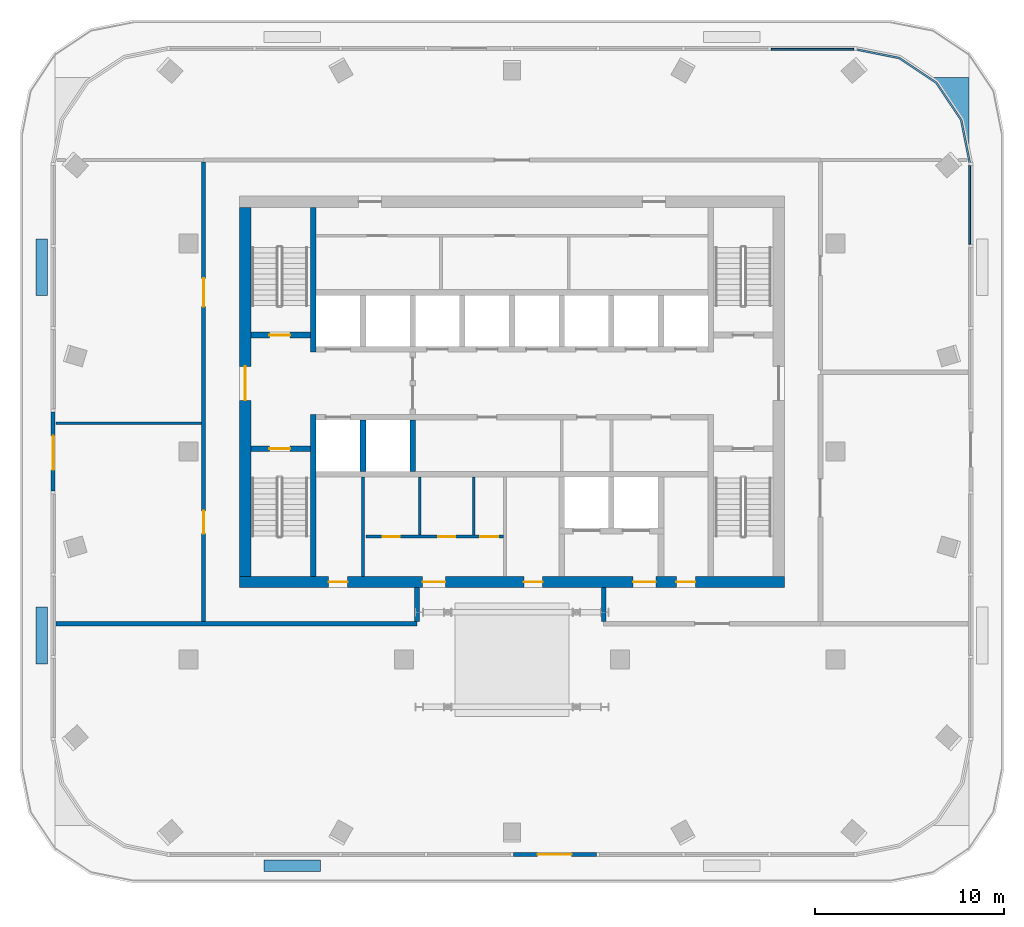
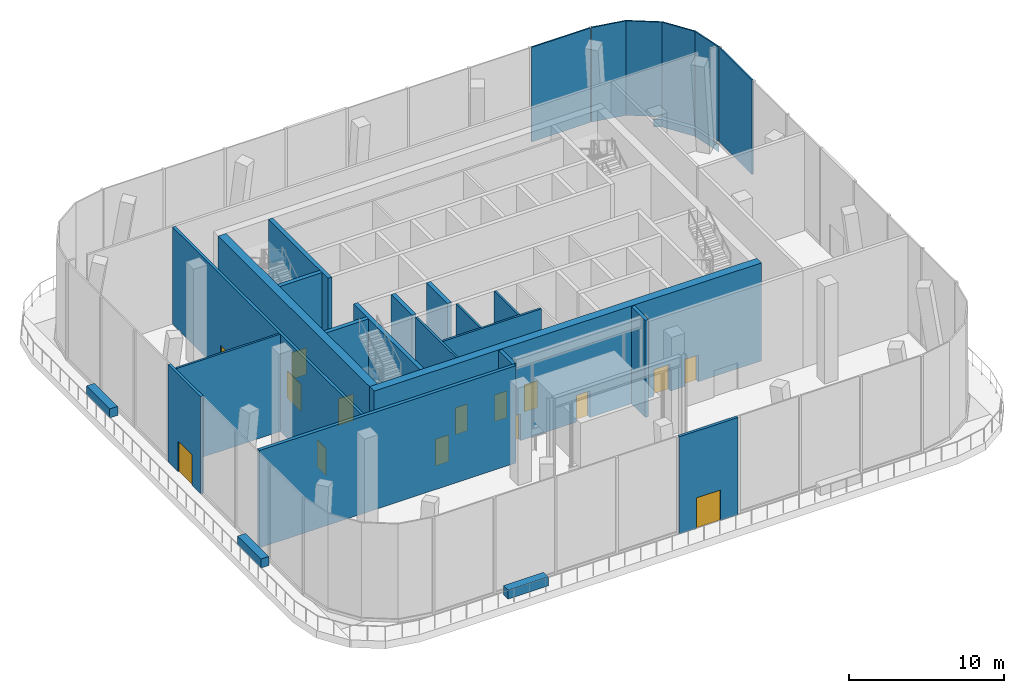
# One storey, part 6 of 13: 22 walls, 15 doors, 3 plates, 1 slab, 15 openings, 3 elements without a shape of their own.
"""IFC4 building model written with IfcOpenShell, lengths in metres."""

import ifcopenshell
import ifcopenshell.guid

model = None  # the IFC model being written
_history = None  # IfcOwnerHistory: only IFC2X3 demands one
_inside = {}  # id of a spatial element -> (the spatial element, [elements in it])
_under = {}  # id of a project, library or spatial element -> (it, [spatial elements below it])
_declared = {}  # id of a project -> (the project, [libraries it declares])
_typed = {}  # id of a type object -> (the type object, [elements of that type])
_made_of = {}  # id of a material, layer set ... -> (it, [elements and type objects made of it])


def new_model(schema):
    """Start an empty IFC model of exactly this schema.

    Asked for "IFC4X3", IfcOpenShell would pick the latest addendum, in which some entities
    have other attributes; the version numbers below select the first issue.
    IFC2X3 requires an IfcOwnerHistory on every rooted entity: one is made here for all.
    """
    global model, _history
    if schema == "IFC4X3":
        model = ifcopenshell.file(schema_version=(4, 3, 0, 0))
    else:
        model = ifcopenshell.file(schema=schema)
    _inside.clear()
    _under.clear()
    _declared.clear()
    _typed.clear()
    _made_of.clear()
    _history = None
    if model.schema == "IFC2X3":
        org = make("IfcOrganization", Name="unknown")
        user = make(
            "IfcPersonAndOrganization",
            ThePerson=make("IfcPerson", FamilyName="unknown"),
            TheOrganization=org,
        )
        app = make(
            "IfcApplication",
            ApplicationDeveloper=org,
            Version="unknown",
            ApplicationFullName="unknown",
            ApplicationIdentifier="unknown",
        )
        _history = make(
            "IfcOwnerHistory",
            OwningUser=user,
            OwningApplication=app,
            ChangeAction="ADDED",
            CreationDate=0,
        )
    return model


def make(cls, **values):
    """One entity of the class cls with the attributes given. An attribute that is None is left unset."""
    return model.create_entity(
        cls, **{name: value for name, value in values.items() if value is not None}
    )


def rooted(cls, **values):
    """An entity with a GlobalId (a new one), such as an element, a storey or a relation."""
    return make(cls, GlobalId=ifcopenshell.guid.new(), OwnerHistory=_history, **values)


def si_unit(unit_type, name, prefix=None):
    """IfcSIUnit, for example si_unit("LENGTHUNIT", "METRE", prefix="MILLI")."""
    return make("IfcSIUnit", UnitType=unit_type, Prefix=prefix, Name=name)


def assignment(units):
    """IfcUnitAssignment: the units of a project."""
    return None if units is None else make("IfcUnitAssignment", Units=units)


def point(xyz):
    """IfcCartesianPoint."""
    return None if xyz is None else make("IfcCartesianPoint", Coordinates=xyz)


def direction(xyz):
    """IfcDirection."""
    return None if xyz is None else make("IfcDirection", DirectionRatios=xyz)


def frame(location, z_axis=None, x_axis=None):
    """IfcAxis2Placement3D, a coordinate frame: its origin and axes. An axis left out is left unset."""
    return make(
        "IfcAxis2Placement3D",
        Location=point(location),
        Axis=direction(z_axis),
        RefDirection=direction(x_axis),
    )


def frame_2d(location, x_axis=None):
    """IfcAxis2Placement2D, a coordinate frame in the plane: its origin and x axis."""
    return make(
        "IfcAxis2Placement2D", Location=point(location), RefDirection=direction(x_axis)
    )


def origin():
    """The frame at (0, 0, 0) with its axes left unset."""
    return frame((0.0, 0.0, 0.0))


def origin_2d():
    """The frame at (0, 0) in the plane with its x axis left unset."""
    return frame_2d((0.0, 0.0))


def place(relative_to, where):
    """IfcLocalPlacement: puts the frame where relative to a parent placement (None: the world)."""
    return make(
        "IfcLocalPlacement", PlacementRelTo=relative_to, RelativePlacement=where
    )


def context(
    kind, dimensions, precision=None, world=None, true_north=None, identifier=None
):
    """IfcGeometricRepresentationContext, for example the 3D "Model" context."""
    return make(
        "IfcGeometricRepresentationContext",
        ContextIdentifier=identifier,
        ContextType=kind,
        CoordinateSpaceDimension=dimensions,
        Precision=precision,
        WorldCoordinateSystem=world,
        TrueNorth=true_north,
    )


def subcontext(parent, identifier, kind, view, scale=None):
    """IfcGeometricRepresentationSubContext, for example "Body" below "Model"."""
    return make(
        "IfcGeometricRepresentationSubContext",
        ContextIdentifier=identifier,
        ContextType=kind,
        ParentContext=parent,
        TargetScale=scale,
        TargetView=view,
    )


def project(units=None, contexts=None):
    """IfcProject with its units and contexts."""
    return rooted(
        "IfcProject",
        Name="project",
        RepresentationContexts=contexts,
        UnitsInContext=assignment(units),
    )


def spatial(cls, under=None, at=None, **own):
    """A site, building, storey or space (cls), placed at a placement, below another one or the project."""
    s = rooted(cls, ObjectPlacement=at, **own)
    if under is not None:
        _under.setdefault(under.id(), (under, []))[1].append(s)
    return s


def polyline(points):
    """IfcPolyline through the points."""
    return make("IfcPolyline", Points=[point(p) for p in points])


def profile(cls, at=None, kind="AREA", **sizes):
    """A parametric profile (cls). Its sizes go by their IFC names, for example OverallWidth=200.0."""
    return make(cls, ProfileType=kind, Position=at, **sizes)


def rectangle(**sizes):
    """IfcRectangleProfileDef."""
    return profile("IfcRectangleProfileDef", **sizes)


def outline(outer, holes=None, kind="AREA"):
    """IfcArbitraryClosedProfileDef: a profile drawn as a closed curve; with holes, ...WithVoids."""
    if holes is None:
        return make("IfcArbitraryClosedProfileDef", ProfileType=kind, OuterCurve=outer)
    return make(
        "IfcArbitraryProfileDefWithVoids",
        ProfileType=kind,
        OuterCurve=outer,
        InnerCurves=holes,
    )


def extrude(swept, where, along, depth):
    """IfcExtrudedAreaSolid: the profile swept, set in the frame where, extruded along a direction by depth."""
    return make(
        "IfcExtrudedAreaSolid",
        SweptArea=swept,
        Position=where,
        ExtrudedDirection=direction(along),
        Depth=depth,
    )


def shape(context_of_items, identifier, shape_type, items):
    """IfcShapeRepresentation: the items that make up one representation, for example the "Body"."""
    return make(
        "IfcShapeRepresentation",
        ContextOfItems=context_of_items,
        RepresentationIdentifier=identifier,
        RepresentationType=shape_type,
        Items=items,
    )


def material(Name=None, Category=None):
    """IfcMaterial."""
    return make("IfcMaterial", Name=Name, Category=Category)


def layer(
    of_material, thickness, ventilated=None, Name=None, Category=None, Priority=None
):
    """IfcMaterialLayer: one layer of a wall or slab, of a material (None: an air gap)."""
    return make(
        "IfcMaterialLayer",
        Material=of_material,
        LayerThickness=thickness,
        IsVentilated=ventilated,
        Name=Name,
        Category=Category,
        Priority=Priority,
    )


def layer_set(layers, Name=None):
    """IfcMaterialLayerSet."""
    return make("IfcMaterialLayerSet", MaterialLayers=layers, LayerSetName=Name)


def made_of(thing, what):
    """Note that an element or type object is made of a material, layer set ...; save() writes the relation."""
    if what is not None:
        _made_of.setdefault(what.id(), (what, []))[1].append(thing)
    return thing


def type_object(cls, material=None, **own):
    """A type object (cls), such as IfcWallType, which elements share."""
    return made_of(rooted(cls, **own), material)


def element(
    cls,
    number,
    at=None,
    inside=None,
    cuts=None,
    type_object=None,
    material=None,
    context=None,
    identifier="Body",
    shape_type=None,
    held_by="IfcProductDefinitionShape",
    body=None,
    shapes=None,
    **own,
):
    """One element of the class cls, such as IfcWall. Its Tag is "e" and its number.

    at: its placement. inside: the storey or other place that contains it. cuts: it is an
    opening in that element (IfcRelVoidsElement). A single representation is given by context,
    identifier, shape_type and body (its items); several are given by shapes. held_by: the class
    of the entity that holds the representations. save() writes the other relations.
    """
    e = rooted(cls, Tag="e%d" % number, ObjectPlacement=at, **own)
    if body is not None:
        shapes = [shape(context, identifier, shape_type, body)]
    if shapes is not None:
        e.Representation = make(held_by, Representations=shapes)
    if inside is not None:
        _inside.setdefault(inside.id(), (inside, []))[1].append(e)
    if cuts is not None:
        rooted(
            "IfcRelVoidsElement", RelatingBuildingElement=cuts, RelatedOpeningElement=e
        )
    if type_object is not None:
        _typed.setdefault(type_object.id(), (type_object, []))[1].append(e)
    return made_of(e, material)


def fill(opening, filler):
    """IfcRelFillsElement: the door or window that sits in an opening."""
    return rooted(
        "IfcRelFillsElement",
        RelatingOpeningElement=opening,
        RelatedBuildingElement=filler,
    )


def aggregate(whole, parts):
    """IfcRelAggregates: a whole, such as a stair, and the parts it consists of."""
    return rooted("IfcRelAggregates", RelatingObject=whole, RelatedObjects=parts)


def save(model, path):
    """Write the relations noted so far, then the file.

    IfcRelAggregates (storeys below a building ...), IfcRelContainedInSpatialStructure (elements
    in a storey), IfcRelDefinesByType, IfcRelAssociatesMaterial and IfcRelDeclares: one each for
    every whole, place, type object, material and project.
    """
    for whole, parts in _under.values():
        aggregate(whole, parts)
    for where, things in _inside.values():
        rooted(
            "IfcRelContainedInSpatialStructure",
            RelatedElements=things,
            RelatingStructure=where,
        )
    for kind, things in _typed.values():
        rooted("IfcRelDefinesByType", RelatedObjects=things, RelatingType=kind)
    for what, things in _made_of.values():
        rooted("IfcRelAssociatesMaterial", RelatedObjects=things, RelatingMaterial=what)
    for by, libraries in _declared.values():
        rooted("IfcRelDeclares", RelatingContext=by, RelatedDefinitions=libraries)
    model.write(path)


model = new_model("IFC4")

# Units and contexts
model_context = context("Model", 3, precision=1e-05, world=origin(), true_north=direction((0.0, 1.0)))
body_context = subcontext(model_context, "Body", "Model", "MODEL_VIEW")
ifc_project = project(units=[si_unit("LENGTHUNIT", "METRE"), si_unit("AREAUNIT", "SQUARE_METRE"), si_unit("VOLUMEUNIT", "CUBIC_METRE"), si_unit("PLANEANGLEUNIT", "RADIAN"), si_unit("MASSUNIT", "GRAM", prefix="KILO")], contexts=[model_context])

# Site, building, storey
site_placement = place(None, origin())
site = spatial("IfcSite", under=ifc_project, at=site_placement, CompositionType="ELEMENT")
building_placement = place(site_placement, origin())
building = spatial("IfcBuilding", under=site, at=building_placement, Name="Mopane Tessera Tower", CompositionType="ELEMENT")
storey_placement = place(building_placement, frame((0.0, 0.0, 337.39990234375)))
storey = spatial("IfcBuildingStorey", under=building, at=storey_placement, Name="L74", CompositionType="ELEMENT", Elevation=337.39990234375)

# Curtain wall, plate
ifc_material_1 = material(Name="Aluminium frame", Category="aluminium")
curtain_wall_type = type_object("IfcCurtainWallType", Name="Damper floor unitised wall", PredefinedType="NOTDEFINED", material=ifc_material_1)
curtain_wall_1_placement = place(storey_placement, origin())
curtain_wall_1 = element("IfcCurtainWall", 1, at=curtain_wall_1_placement, inside=storey, type_object=curtain_wall_type, Name="e:cw:L74:E:4", PredefinedType="NOTDEFINED")
ifc_material_2 = material(Name="Illuminated laminated glass", Category="glass")
ifc_layer_1 = layer(ifc_material_2, 0.10009765625)
ifc_layer_set_1 = layer_set([ifc_layer_1], Name="Illuminated laminated glass")
plate_type = type_object("IfcPlateType", Name="Laminated glazed unit 100", PredefinedType="CURTAIN_PANEL", material=ifc_layer_set_1)
plate_1_placement = place(storey_placement, frame((24.199951171875, 13.028564453125, 0.22021484375), z_axis=(0.0, 0.0, 1.0), x_axis=(0.0, 1.0, 0.0)))
plate_1 = element("IfcPlate", 2, at=plate_1_placement, type_object=plate_type, Name="e:cw:L74:E:4:pn6", PredefinedType="CURTAIN_PANEL", context=body_context, shape_type="SweptSolid", body=[
    extrude(rectangle(XDim=4.182861328125, YDim=0.10009765625, at=origin_2d()), origin(), (0.0, 0.0, 1.0), 7.429931640625),
])
aggregate(curtain_wall_1, [plate_1])

curtain_wall_2_placement = place(storey_placement, origin())
curtain_wall_2 = element("IfcCurtainWall", 3, at=curtain_wall_2_placement, inside=storey, type_object=curtain_wall_type, Name="e:cw:L74:CE", PredefinedType="NOTDEFINED")
plate_2_placement = place(storey_placement, frame((0.0, 0.0, 0.22021484375)))
plate_2 = element("IfcPlate", 4, at=plate_2_placement, type_object=plate_type, Name="e:cw:L74:CE:pn", PredefinedType="CURTAIN_PANEL", context=body_context, shape_type="SweptSolid", body=[
    extrude(outline(polyline([(24.14990234375, 15.199951171875), (23.693359375, 17.49609375), (22.392578125, 19.442626953125), (20.446044921875, 20.7431640625), (18.14990234375, 21.199951171875), (18.14990234375, 21.300048828125), (20.484375, 20.835693359375), (22.46337890625, 19.513427734375), (23.78564453125, 17.534423828125), (24.25, 15.199951171875), (24.14990234375, 15.199951171875)])), origin(), (0.0, 0.0, 1.0), 7.429931640625),
])
aggregate(curtain_wall_2, [plate_2])

curtain_wall_3_placement = place(storey_placement, origin())
curtain_wall_3 = element("IfcCurtainWall", 5, at=curtain_wall_3_placement, inside=storey, type_object=curtain_wall_type, Name="e:cw:L74:N:0", PredefinedType="NOTDEFINED")
plate_3_placement = place(storey_placement, frame((15.88134765625, 21.25, 0.22021484375), z_axis=(0.0, 0.0, 1.0), x_axis=(-1.0, 0.0, 0.0)))
plate_3 = element("IfcPlate", 6, at=plate_3_placement, type_object=plate_type, Name="e:cw:L74:N:0:pn0", PredefinedType="CURTAIN_PANEL", context=body_context, shape_type="SweptSolid", body=[
    extrude(rectangle(XDim=4.37744140625, YDim=0.10009765625, at=origin_2d()), origin(), (0.0, 0.0, 1.0), 7.429931640625),
])
aggregate(curtain_wall_3, [plate_3])

# Slab
ifc_material_3 = material(Name="Concrete C40/50", Category="concrete")
ifc_layer_2 = layer(ifc_material_3, 0.60009765625)
ifc_layer_set_2 = layer_set([ifc_layer_2], Name="Concrete C40/50")
slab_type = type_object("IfcSlabType", Name="Setback roof terrace slab 600 mm", PredefinedType="ROOF", material=ifc_layer_set_2)
slab_placement = place(storey_placement, frame((0.0, 0.0, -0.599853515625)))
element("IfcSlab", 7, at=slab_placement, inside=storey, type_object=slab_type, Name="Setback terrace slab L74", PredefinedType="ROOF", context=body_context, shape_type="SweptSolid", body=[
    extrude(outline(polyline([(24.14990234375, 15.199951171875), (24.14990234375, 19.760009765625), (21.917724609375, 19.760009765625), (22.392578125, 19.442626953125), (23.693359375, 17.49609375), (24.14990234375, 15.199951171875)])), origin(), (0.0, 0.0, 1.0), 0.599853515625),
])

# Wall
ifc_material_4 = material(Name="Fire-rated gypsum board partition")
ifc_layer_3 = layer(ifc_material_4, 0.14990234375)
ifc_layer_set_3 = layer_set([ifc_layer_3], Name="Fire-rated gypsum board partition")
wall_type_1 = type_object("IfcWallType", Name="Core room partition 150 mm", PredefinedType="PARTITIONING", material=ifc_layer_set_3)
wall_1_placement = place(storey_placement, frame((-7.875, -6.60009765625, 0.0), z_axis=(0.0, 0.0, 1.0), x_axis=(0.0, 1.0, 0.0)))
element("IfcWall", 8, at=wall_1_placement, inside=storey, type_object=wall_type_1, Name="L74 Room partition", PredefinedType="PARTITIONING", context=body_context, shape_type="SweptSolid", body=[
    extrude(rectangle(XDim=5.25, YDim=0.14990234375, at=frame_2d((2.625, 0.0))), origin(), (0.0, 0.0, 1.0), 7.7001953125),
])

# Wall, openings, doors
wall_2_placement = place(storey_placement, frame((-7.72509765625, -4.5, 0.0), z_axis=(0.0, 0.0, 1.0), x_axis=(1.0, 0.0, 0.0)))
wall_2 = element("IfcWall", 9, at=wall_2_placement, inside=storey, type_object=wall_type_1, Name="L74 WC partition", PredefinedType="PARTITIONING", context=body_context, shape_type="SweptSolid", body=[
    extrude(rectangle(XDim=7.275146484375, YDim=0.14990234375, at=frame_2d((3.6376953125, 0.0))), origin(), (0.0, 0.0, 1.0), 7.7001953125),
])
opening_1_placement = place(wall_2_placement, frame((0.89990234375, 0.0, 0.0)))
opening_1 = element("IfcOpeningElement", 10, at=opening_1_placement, cuts=wall_2, Name="Opening WD1", PredefinedType="OPENING", context=body_context, shape_type="SweptSolid", body=[
    extrude(rectangle(XDim=0.89990234375, YDim=2.10009765625, at=frame_2d((0.449951171875, 1.050048828125))), frame((0.0, 0.0869140625, 0.0), z_axis=(0.0, -1.0, 0.0), x_axis=(1.0, 0.0, 0.0)), (0.0, 0.0, 1.0), 0.173828125),
])
opening_2_placement = place(wall_2_placement, frame((3.824951171875, 0.0, 0.0)))
opening_2 = element("IfcOpeningElement", 11, at=opening_2_placement, cuts=wall_2, Name="Opening WD1", PredefinedType="OPENING", context=body_context, shape_type="SweptSolid", body=[
    extrude(rectangle(XDim=0.89990234375, YDim=2.10009765625, at=frame_2d((0.449951171875, 1.050048828125))), frame((0.0, 0.0869140625, 0.0), z_axis=(0.0, -1.0, 0.0), x_axis=(1.0, 0.0, 0.0)), (0.0, 0.0, 1.0), 0.173828125),
])
opening_3_placement = place(wall_2_placement, frame((6.050048828125, 0.0, 0.0)))
opening_3 = element("IfcOpeningElement", 12, at=opening_3_placement, cuts=wall_2, Name="Opening WD2", PredefinedType="OPENING", context=body_context, shape_type="SweptSolid", body=[
    extrude(rectangle(XDim=0.949951171875, YDim=2.10009765625, at=frame_2d((0.47509765625, 1.050048828125))), frame((0.0, 0.0869140625, 0.0), z_axis=(0.0, -1.0, 0.0), x_axis=(1.0, 0.0, 0.0)), (0.0, 0.0, 1.0), 0.173828125),
])
ifc_material_5 = material(Name="Timber door", Category="wood")
door_type_1 = type_object("IfcDoorType", Name="Accessible WC door 950 x 2100", OperationType="SINGLE_SWING_LEFT", PredefinedType="DOOR", material=ifc_material_5)
door_1_placement = place(opening_3_placement, origin())
door_1 = element("IfcDoor", 13, at=door_1_placement, inside=storey, type_object=door_type_1, Name="L74 Accessible WC door", OperationType="SINGLE_SWING_LEFT", OverallHeight=2.10009765625, OverallWidth=0.949951171875, PredefinedType="DOOR", context=body_context, shape_type="SweptSolid", body=[
    extrude(rectangle(XDim=0.949951171875, YDim=2.10009765625, at=frame_2d((0.47509765625, 1.050048828125))), frame((0.0, 0.02490234375, 0.0), z_axis=(0.0, -1.0, 0.0), x_axis=(1.0, 0.0, 0.0)), (0.0, 0.0, 1.0), 0.050048828125),
])
fill(opening_3, door_1)
ifc_material_6 = material(Name="Timber door", Category="wood")
door_type_2 = type_object("IfcDoorType", Name="WC cubicle door 900 x 2100", OperationType="SINGLE_SWING_LEFT", PredefinedType="DOOR", material=ifc_material_6)
door_2_placement = place(opening_1_placement, origin())
door_2 = element("IfcDoor", 14, at=door_2_placement, inside=storey, type_object=door_type_2, Name="L74 Men's WC door", OperationType="SINGLE_SWING_LEFT", OverallHeight=2.10009765625, OverallWidth=0.89990234375, PredefinedType="DOOR", context=body_context, shape_type="SweptSolid", body=[
    extrude(rectangle(XDim=0.89990234375, YDim=2.10009765625, at=frame_2d((0.449951171875, 1.050048828125))), frame((0.0, 0.02490234375, 0.0), z_axis=(0.0, -1.0, 0.0), x_axis=(1.0, 0.0, 0.0)), (0.0, 0.0, 1.0), 0.050048828125),
])
fill(opening_1, door_2)
door_3_placement = place(opening_2_placement, origin())
door_3 = element("IfcDoor", 15, at=door_3_placement, inside=storey, type_object=door_type_2, Name="L74 Women's WC door", OperationType="SINGLE_SWING_LEFT", OverallHeight=2.10009765625, OverallWidth=0.89990234375, PredefinedType="DOOR", context=body_context, shape_type="SweptSolid", body=[
    extrude(rectangle(XDim=0.89990234375, YDim=2.10009765625, at=frame_2d((0.449951171875, 1.050048828125))), frame((0.0, 0.02490234375, 0.0), z_axis=(0.0, -1.0, 0.0), x_axis=(1.0, 0.0, 0.0)), (0.0, 0.0, 1.0), 0.050048828125),
])
fill(opening_2, door_3)

# Walls
for number, where, z_axis, x_axis, name in (
    (16, (-4.875, -4.425048828125, 0.0), (0.0, 0.0, 1.0), (0.0, 1.0, 0.0), "L74 WC partition"),
    (17, (-2.02490234375, -4.425048828125, 0.0), (0.0, 0.0, 1.0), (0.0, 1.0, 0.0), "L74 WC partition"),
):
    element("IfcWall", number, at=place(storey_placement, frame(where, z_axis=z_axis, x_axis=x_axis)), inside=storey, type_object=wall_type_1, Name=name, PredefinedType="PARTITIONING", context=body_context, shape_type="SweptSolid", body=[
        extrude(rectangle(XDim=3.074951171875, YDim=0.14990234375, at=frame_2d((1.53759765625, 0.0))), origin(), (0.0, 0.0, 1.0), 7.7001953125),
    ])

# Wall, openings, doors
ifc_material_7 = material(Name="Concrete C70/85", Category="concrete")
ifc_layer_4 = layer(ifc_material_7, 0.60009765625)
ifc_layer_set_4 = layer_set([ifc_layer_4], Name="Concrete C70/85")
wall_type_2 = type_object("IfcWallType", Name="Core shear wall 600 mm", PredefinedType="SHEAR", material=ifc_layer_set_4)
wall_3_placement = place(storey_placement, frame((-14.39990234375, -6.89990234375, 0.0), z_axis=(0.0, 0.0, 1.0), x_axis=(1.0, 0.0, 0.0)))
wall_3 = element("IfcWall", 18, at=wall_3_placement, inside=storey, type_object=wall_type_2, Name="L74 Core wall south", PredefinedType="SHEAR", context=body_context, shape_type="SweptSolid", body=[
    extrude(rectangle(XDim=28.7998046875, YDim=0.60009765625, at=frame_2d((14.39990234375, 0.0))), origin(), (0.0, 0.0, 1.0), 7.7001953125),
])
opening_4_placement = place(wall_3_placement, frame((4.71240234375, 0.0, 0.0)))
opening_4 = element("IfcOpeningElement", 19, at=opening_4_placement, cuts=wall_3, Name="Opening RD1", PredefinedType="OPENING", context=body_context, shape_type="SweptSolid", body=[
    extrude(rectangle(XDim=1.0, YDim=2.10009765625, at=frame_2d((0.5, 1.050048828125))), frame((0.0, 0.31201171875, 0.0), z_axis=(0.0, -1.0, 0.0), x_axis=(1.0, 0.0, 0.0)), (0.0, 0.0, 1.0), 0.6240234375),
])
opening_5_placement = place(wall_3_placement, frame((9.675048828125, 0.0, 0.0)))
opening_5 = element("IfcOpeningElement", 20, at=opening_5_placement, cuts=wall_3, Name="Opening WD3", PredefinedType="OPENING", context=body_context, shape_type="SweptSolid", body=[
    extrude(rectangle(XDim=1.199951171875, YDim=2.10009765625, at=frame_2d((0.60009765625, 1.050048828125))), frame((0.0, 0.31201171875, 0.0), z_axis=(0.0, -1.0, 0.0), x_axis=(1.0, 0.0, 0.0)), (0.0, 0.0, 1.0), 0.6240234375),
])
opening_6_placement = place(wall_3_placement, frame((15.02490234375, 0.0, 0.0)))
opening_6 = element("IfcOpeningElement", 21, at=opening_6_placement, cuts=wall_3, Name="Opening RD1", PredefinedType="OPENING", context=body_context, shape_type="SweptSolid", body=[
    extrude(rectangle(XDim=1.0, YDim=2.10009765625, at=frame_2d((0.5, 1.050048828125))), frame((0.0, 0.31201171875, 0.0), z_axis=(0.0, -1.0, 0.0), x_axis=(1.0, 0.0, 0.0)), (0.0, 0.0, 1.0), 0.6240234375),
])
opening_7_placement = place(wall_3_placement, frame((20.800048828125, 0.0, 0.0)))
opening_7 = element("IfcOpeningElement", 22, at=opening_7_placement, cuts=wall_3, Name="Opening SD3", PredefinedType="OPENING", context=body_context, shape_type="SweptSolid", body=[
    extrude(rectangle(XDim=1.199951171875, YDim=2.10009765625, at=frame_2d((0.60009765625, 1.050048828125))), frame((0.0, 0.31201171875, 0.0), z_axis=(0.0, -1.0, 0.0), x_axis=(1.0, 0.0, 0.0)), (0.0, 0.0, 1.0), 0.6240234375),
])
opening_8_placement = place(wall_3_placement, frame((23.08740234375, 0.0, 0.0)))
opening_8 = element("IfcOpeningElement", 23, at=opening_8_placement, cuts=wall_3, Name="Opening RD1", PredefinedType="OPENING", context=body_context, shape_type="SweptSolid", body=[
    extrude(rectangle(XDim=1.0, YDim=2.10009765625, at=frame_2d((0.5, 1.050048828125))), frame((0.0, 0.31201171875, 0.0), z_axis=(0.0, -1.0, 0.0), x_axis=(1.0, 0.0, 0.0)), (0.0, 0.0, 1.0), 0.6240234375),
])
ifc_material_8 = material(Name="Timber door", Category="wood")
door_type_3 = type_object("IfcDoorType", Name="Core room door 1000 x 2100", OperationType="SINGLE_SWING_LEFT", PredefinedType="DOOR", material=ifc_material_8)
door_4_placement = place(opening_4_placement, origin())
door_4 = element("IfcDoor", 24, at=door_4_placement, inside=storey, type_object=door_type_3, Name="L74 Room door", OperationType="SINGLE_SWING_LEFT", OverallHeight=2.10009765625, OverallWidth=1.0, PredefinedType="DOOR", context=body_context, shape_type="SweptSolid", body=[
    extrude(rectangle(XDim=1.0, YDim=2.10009765625, at=frame_2d((0.5, 1.050048828125))), frame((0.0, 0.02490234375, 0.0), z_axis=(0.0, -1.0, 0.0), x_axis=(1.0, 0.0, 0.0)), (0.0, 0.0, 1.0), 0.050048828125),
])
fill(opening_4, door_4)
door_5_placement = place(opening_6_placement, origin())
door_5 = element("IfcDoor", 25, at=door_5_placement, inside=storey, type_object=door_type_3, Name="L74 Room door", OperationType="SINGLE_SWING_LEFT", OverallHeight=2.10009765625, OverallWidth=1.0, PredefinedType="DOOR", context=body_context, shape_type="SweptSolid", body=[
    extrude(rectangle(XDim=1.0, YDim=2.10009765625, at=frame_2d((0.5, 1.050048828125))), frame((0.0, 0.02490234375, 0.0), z_axis=(0.0, -1.0, 0.0), x_axis=(1.0, 0.0, 0.0)), (0.0, 0.0, 1.0), 0.050048828125),
])
fill(opening_6, door_5)
door_6_placement = place(opening_8_placement, origin())
door_6 = element("IfcDoor", 26, at=door_6_placement, inside=storey, type_object=door_type_3, Name="L74 Room door", OperationType="SINGLE_SWING_LEFT", OverallHeight=2.10009765625, OverallWidth=1.0, PredefinedType="DOOR", context=body_context, shape_type="SweptSolid", body=[
    extrude(rectangle(XDim=1.0, YDim=2.10009765625, at=frame_2d((0.5, 1.050048828125))), frame((0.0, 0.02490234375, 0.0), z_axis=(0.0, -1.0, 0.0), x_axis=(1.0, 0.0, 0.0)), (0.0, 0.0, 1.0), 0.050048828125),
])
fill(opening_8, door_6)
ifc_material_9 = material(Name="Steel fire door", Category="steel")
door_type_4 = type_object("IfcDoorType", Name="Lobby fire door 1200 x 2100", OperationType="SINGLE_SWING_LEFT", PredefinedType="DOOR", material=ifc_material_9)
door_7_placement = place(opening_7_placement, origin())
door_7 = element("IfcDoor", 27, at=door_7_placement, inside=storey, type_object=door_type_4, Name="L74 Service lobby door", OperationType="SINGLE_SWING_LEFT", OverallHeight=2.10009765625, OverallWidth=1.199951171875, PredefinedType="DOOR", context=body_context, shape_type="SweptSolid", body=[
    extrude(rectangle(XDim=1.199951171875, YDim=2.10009765625, at=frame_2d((0.60009765625, 1.050048828125))), frame((0.0, 0.02490234375, 0.0), z_axis=(0.0, -1.0, 0.0), x_axis=(1.0, 0.0, 0.0)), (0.0, 0.0, 1.0), 0.050048828125),
])
fill(opening_7, door_7)
ifc_material_10 = material(Name="Timber door", Category="wood")
door_type_5 = type_object("IfcDoorType", Name="WC lobby door 1200 x 2100", OperationType="SINGLE_SWING_LEFT", PredefinedType="DOOR", material=ifc_material_10)
door_8_placement = place(opening_5_placement, origin())
door_8 = element("IfcDoor", 28, at=door_8_placement, inside=storey, type_object=door_type_5, Name="L74 WC lobby door", OperationType="SINGLE_SWING_LEFT", OverallHeight=2.10009765625, OverallWidth=1.199951171875, PredefinedType="DOOR", context=body_context, shape_type="SweptSolid", body=[
    extrude(rectangle(XDim=1.199951171875, YDim=2.10009765625, at=frame_2d((0.60009765625, 1.050048828125))), frame((0.0, 0.02490234375, 0.0), z_axis=(0.0, -1.0, 0.0), x_axis=(1.0, 0.0, 0.0)), (0.0, 0.0, 1.0), 0.050048828125),
])
fill(opening_5, door_8)

# Wall, opening, door
wall_4_placement = place(storey_placement, frame((-14.10009765625, -6.60009765625, 0.0), z_axis=(0.0, 0.0, 1.0), x_axis=(0.0, 1.0, 0.0)))
wall_4 = element("IfcWall", 29, at=wall_4_placement, inside=storey, type_object=wall_type_2, Name="L74 Core wall west", PredefinedType="SHEAR", context=body_context, shape_type="SweptSolid", body=[
    extrude(rectangle(XDim=19.5, YDim=0.60009765625, at=frame_2d((9.75, 0.0))), origin(), (0.0, 0.0, 1.0), 7.7001953125),
])
opening_9_placement = place(wall_4_placement, frame((9.300048828125, 0.0, 0.0)))
opening_9 = element("IfcOpeningElement", 30, at=opening_9_placement, cuts=wall_4, Name="Opening SD2", PredefinedType="OPENING", context=body_context, shape_type="SweptSolid", body=[
    extrude(rectangle(XDim=1.800048828125, YDim=2.10009765625, at=frame_2d((0.89990234375, 1.050048828125))), frame((0.0, 0.31201171875, 0.0), z_axis=(0.0, -1.0, 0.0), x_axis=(1.0, 0.0, 0.0)), (0.0, 0.0, 1.0), 0.6240234375),
])
ifc_material_11 = material(Name="Steel fire door", Category="steel")
door_type_6 = type_object("IfcDoorType", Name="Core entrance double door 1800 x 2100", OperationType="DOUBLE_DOOR_SINGLE_SWING", PredefinedType="DOOR", material=ifc_material_11)
door_9_placement = place(opening_9_placement, origin())
door_9 = element("IfcDoor", 31, at=door_9_placement, inside=storey, type_object=door_type_6, Name="L74 Core entrance door west", OperationType="DOUBLE_DOOR_SINGLE_SWING", OverallHeight=2.10009765625, OverallWidth=1.800048828125, PredefinedType="DOOR", context=body_context, shape_type="SweptSolid", body=[
    extrude(rectangle(XDim=1.800048828125, YDim=2.10009765625, at=frame_2d((0.89990234375, 1.050048828125))), frame((0.0, 0.02490234375, 0.0), z_axis=(0.0, -1.0, 0.0), x_axis=(1.0, 0.0, 0.0)), (0.0, 0.0, 1.0), 0.050048828125),
])
fill(opening_9, door_9)

# Walls
ifc_material_12 = material(Name="Concrete C60/75", Category="concrete")
ifc_layer_5 = layer(ifc_material_12, 0.300048828125)
ifc_layer_set_5 = layer_set([ifc_layer_5], Name="Concrete C60/75")
wall_type_3 = type_object("IfcWallType", Name="Core spine wall 300 mm", PredefinedType="SHEAR", material=ifc_layer_set_5)
wall_5_placement = place(storey_placement, frame((-10.5, -6.60009765625, 0.0), z_axis=(0.0, 0.0, 1.0), x_axis=(0.0, 1.0, 0.0)))
element("IfcWall", 32, at=wall_5_placement, inside=storey, type_object=wall_type_3, Name="L74 Core spine wall", PredefinedType="SHEAR", context=body_context, shape_type="SweptSolid", body=[
    extrude(rectangle(XDim=8.550048828125, YDim=0.300048828125, at=frame_2d((4.27490234375, 0.0))), origin(), (0.0, 0.0, 1.0), 7.7001953125),
])
wall_6_placement = place(storey_placement, frame((-10.5, 5.25, 0.0), z_axis=(0.0, 0.0, 1.0), x_axis=(0.0, 1.0, 0.0)))
element("IfcWall", 33, at=wall_6_placement, inside=storey, type_object=wall_type_3, Name="L74 Core spine wall", PredefinedType="SHEAR", context=body_context, shape_type="SweptSolid", body=[
    extrude(rectangle(XDim=7.64990234375, YDim=0.300048828125, at=frame_2d((3.824951171875, 0.0))), origin(), (0.0, 0.0, 1.0), 7.7001953125),
])

# Wall, openings, doors
ifc_material_13 = material(Name="Gypsum board on steel studs, two layers each face, mineral wool infill", Category="steel")
ifc_layer_6 = layer(ifc_material_13, 0.199951171875)
ifc_layer_set_6 = layer_set([ifc_layer_6], Name="Gypsum board on steel studs, two layers each face, mineral wool infill")
wall_type_4 = type_object("IfcWallType", Name="Gypsum board corridor wall 200, rated EI 60", PredefinedType="PARTITIONING", material=ifc_layer_set_6)
wall_7_placement = place(storey_placement, frame((-16.300048828125, -8.97509765625, 0.0), z_axis=(0.0, 0.0, 1.0), x_axis=(0.0, 1.0, 0.0)))
wall_7 = element("IfcWall", 34, at=wall_7_placement, inside=storey, type_object=wall_type_4, Name="Partition L74:010", PredefinedType="PARTITIONING", context=body_context, shape_type="SweptSolid", body=[
    extrude(rectangle(XDim=24.275146484375, YDim=0.199951171875, at=frame_2d((12.1376953125, 0.0))), origin(), (0.0, 0.0, 1.0), 7.650146484375),
])
opening_10_placement = place(wall_7_placement, frame((4.634521484375, 0.0, 0.0)))
opening_10 = element("IfcOpeningElement", 35, at=opening_10_placement, cuts=wall_7, Name="Opening L74-01", PredefinedType="OPENING", context=body_context, shape_type="SweptSolid", body=[
    extrude(rectangle(XDim=1.199951171875, YDim=2.10009765625, at=frame_2d((0.60009765625, 1.050048828125))), frame((0.0, 0.112060546875, 0.0), z_axis=(0.0, -1.0, 0.0), x_axis=(1.0, 0.0, 0.0)), (0.0, 0.0, 1.0), 0.223876953125),
])
opening_11_placement = place(wall_7_placement, frame((16.6220703125, 0.0, 0.0)))
opening_11 = element("IfcOpeningElement", 36, at=opening_11_placement, cuts=wall_7, Name="Opening L74-02", PredefinedType="OPENING", context=body_context, shape_type="SweptSolid", body=[
    extrude(rectangle(XDim=1.5, YDim=2.10009765625, at=frame_2d((0.75, 1.050048828125))), frame((0.0, 0.112060546875, 0.0), z_axis=(0.0, -1.0, 0.0), x_axis=(1.0, 0.0, 0.0)), (0.0, 0.0, 1.0), 0.223876953125),
])
ifc_material_14 = material(Name="Timber veneered steel-framed fire door", Category="steel")
door_type_7 = type_object("IfcDoorType", Name="Fire door FD60 1200 x 2100", OperationType="SINGLE_SWING_LEFT", PredefinedType="DOOR", material=ifc_material_14)
door_10_placement = place(opening_10_placement, origin())
door_10 = element("IfcDoor", 37, at=door_10_placement, inside=storey, type_object=door_type_7, Name="Door L74-01", ObjectType="D15A", OperationType="SINGLE_SWING_RIGHT", OverallHeight=2.10009765625, OverallWidth=1.199951171875, PredefinedType="DOOR", context=body_context, shape_type="SweptSolid", body=[
    extrude(rectangle(XDim=1.199951171875, YDim=2.10009765625, at=frame_2d((0.60009765625, 1.050048828125))), frame((0.0, 0.02490234375, 0.0), z_axis=(0.0, -1.0, 0.0), x_axis=(1.0, 0.0, 0.0)), (0.0, 0.0, 1.0), 0.050048828125),
])
fill(opening_10, door_10)
ifc_material_15 = material(Name="Timber veneered steel-framed fire door", Category="steel")
door_type_8 = type_object("IfcDoorType", Name="Fire door pair FD60 1500 x 2100", OperationType="DOUBLE_DOOR_SINGLE_SWING", PredefinedType="DOOR", material=ifc_material_15)
door_11_placement = place(opening_11_placement, origin())
door_11 = element("IfcDoor", 38, at=door_11_placement, inside=storey, type_object=door_type_8, Name="Door L74-02", ObjectType="D17A", OperationType="DOUBLE_DOOR_SINGLE_SWING", OverallHeight=2.10009765625, OverallWidth=1.5, PredefinedType="DOOR", context=body_context, shape_type="SweptSolid", body=[
    extrude(rectangle(XDim=1.5, YDim=2.10009765625, at=frame_2d((0.75, 1.050048828125))), frame((0.0, 0.02490234375, 0.0), z_axis=(0.0, -1.0, 0.0), x_axis=(1.0, 0.0, 0.0)), (0.0, 0.0, 1.0), 0.050048828125),
])
fill(opening_11, door_11)

# Wall
ifc_material_16 = material(Name="Gypsum board on steel studs, mineral wool infill", Category="steel")
ifc_layer_7 = layer(ifc_material_16, 0.14990234375)
ifc_layer_set_7 = layer_set([ifc_layer_7], Name="Gypsum board on steel studs, mineral wool infill")
wall_type_5 = type_object("IfcWallType", Name="Gypsum board partition 150, rated EI 60", PredefinedType="PARTITIONING", material=ifc_layer_set_7)
wall_8_placement = place(storey_placement, frame((-24.10009765625, 1.493896484375, 0.0), z_axis=(0.0, 0.0, 1.0), x_axis=(1.0, 0.0, 0.0)))
element("IfcWall", 39, at=wall_8_placement, inside=storey, type_object=wall_type_5, Name="Partition L74:003", PredefinedType="PARTITIONING", context=body_context, shape_type="SweptSolid", body=[
    extrude(rectangle(XDim=7.7001953125, YDim=0.14990234375, at=frame_2d((3.85009765625, 0.0))), origin(), (0.0, 0.0, 1.0), 7.650146484375),
])

# Wall, opening, door
ifc_material_17 = material(Name="Concrete C50/60", Category="concrete")
ifc_layer_8 = layer(ifc_material_17, 0.300048828125)
ifc_layer_set_8 = layer_set([ifc_layer_8], Name="Concrete C50/60")
wall_type_6 = type_object("IfcWallType", Name="Lift and stair shaft wall 300 mm", PredefinedType="SOLIDWALL", material=ifc_layer_set_8)
wall_9_placement = place(storey_placement, frame((-13.800048828125, 0.14990234375, 0.0), z_axis=(0.0, 0.0, 1.0), x_axis=(1.0, 0.0, 0.0)))
wall_9 = element("IfcWall", 40, at=wall_9_placement, inside=storey, type_object=wall_type_6, Name="L74 Stair enclosure wall", PredefinedType="SOLIDWALL", context=body_context, shape_type="SweptSolid", body=[
    extrude(rectangle(XDim=3.150146484375, YDim=0.300048828125, at=frame_2d((1.5751953125, 0.0))), origin(), (0.0, 0.0, 1.0), 7.7001953125),
])
opening_12_placement = place(wall_9_placement, frame((0.97509765625, 0.0, 0.0)))
opening_12 = element("IfcOpeningElement", 41, at=opening_12_placement, cuts=wall_9, Name="Opening SD1", PredefinedType="OPENING", context=body_context, shape_type="SweptSolid", body=[
    extrude(rectangle(XDim=1.10009765625, YDim=2.10009765625, at=frame_2d((0.550048828125, 1.050048828125))), frame((0.0, 0.162109375, 0.0), z_axis=(0.0, -1.0, 0.0), x_axis=(1.0, 0.0, 0.0)), (0.0, 0.0, 1.0), 0.323974609375),
])
ifc_material_18 = material(Name="Steel fire door", Category="steel")
door_type_9 = type_object("IfcDoorType", Name="Stair fire door 1100 x 2100", OperationType="SINGLE_SWING_LEFT", PredefinedType="DOOR", material=ifc_material_18)
door_12_placement = place(opening_12_placement, origin())
door_12 = element("IfcDoor", 42, at=door_12_placement, inside=storey, type_object=door_type_9, Name="L74 Stair door ST1", OperationType="SINGLE_SWING_LEFT", OverallHeight=2.10009765625, OverallWidth=1.10009765625, PredefinedType="DOOR", context=body_context, shape_type="SweptSolid", body=[
    extrude(rectangle(XDim=1.10009765625, YDim=2.10009765625, at=frame_2d((0.550048828125, 1.050048828125))), frame((0.0, 0.02490234375, 0.0), z_axis=(0.0, -1.0, 0.0), x_axis=(1.0, 0.0, 0.0)), (0.0, 0.0, 1.0), 0.050048828125),
])
fill(opening_12, door_12)

wall_10_placement = place(storey_placement, frame((-13.800048828125, 6.14990234375, 0.0), z_axis=(0.0, 0.0, 1.0), x_axis=(1.0, 0.0, 0.0)))
wall_10 = element("IfcWall", 43, at=wall_10_placement, inside=storey, type_object=wall_type_6, Name="L74 Stair enclosure wall", PredefinedType="SOLIDWALL", context=body_context, shape_type="SweptSolid", body=[
    extrude(rectangle(XDim=3.150146484375, YDim=0.300048828125, at=frame_2d((1.5751953125, 0.0))), origin(), (0.0, 0.0, 1.0), 7.7001953125),
])
opening_13_placement = place(wall_10_placement, frame((0.97509765625, 0.0, 0.0)))
opening_13 = element("IfcOpeningElement", 44, at=opening_13_placement, cuts=wall_10, Name="Opening SD1", PredefinedType="OPENING", context=body_context, shape_type="SweptSolid", body=[
    extrude(rectangle(XDim=1.10009765625, YDim=2.10009765625, at=frame_2d((0.550048828125, 1.050048828125))), frame((0.0, 0.162109375, 0.0), z_axis=(0.0, -1.0, 0.0), x_axis=(1.0, 0.0, 0.0)), (0.0, 0.0, 1.0), 0.323974609375),
])
door_13_placement = place(opening_13_placement, origin())
door_13 = element("IfcDoor", 45, at=door_13_placement, inside=storey, type_object=door_type_9, Name="L74 Stair door ST2", OperationType="SINGLE_SWING_LEFT", OverallHeight=2.10009765625, OverallWidth=1.10009765625, PredefinedType="DOOR", context=body_context, shape_type="SweptSolid", body=[
    extrude(rectangle(XDim=1.10009765625, YDim=2.10009765625, at=frame_2d((0.550048828125, 1.050048828125))), frame((0.0, 0.02490234375, 0.0), z_axis=(0.0, -1.0, 0.0), x_axis=(1.0, 0.0, 0.0)), (0.0, 0.0, 1.0), 0.050048828125),
])
fill(opening_13, door_13)

# Walls
for number, where, z_axis, x_axis, name in (
    (46, (-7.875, -1.050048828125, 0.0), (0.0, 0.0, 1.0), (0.0, 1.0, 0.0), "L74 Lift shaft wall"),
    (47, (-5.25, -1.050048828125, 0.0), (0.0, 0.0, 1.0), (0.0, 1.0, 0.0), "L74 Lift shaft wall"),
):
    element("IfcWall", number, at=place(storey_placement, frame(where, z_axis=z_axis, x_axis=x_axis)), inside=storey, type_object=wall_type_6, Name=name, PredefinedType="SOLIDWALL", context=body_context, shape_type="SweptSolid", body=[
        extrude(rectangle(XDim=2.699951171875, YDim=0.300048828125, at=frame_2d((1.35009765625, 0.0))), origin(), (0.0, 0.0, 1.0), 7.7001953125),
    ])
ifc_material_19 = material(Name="Reinforced concrete C32/40 with waterproofing", Category="concrete")
ifc_layer_9 = layer(ifc_material_19, 0.60009765625)
ifc_layer_set_9 = layer_set([ifc_layer_9], Name="Reinforced concrete C32/40 with waterproofing")
wall_type_7 = type_object("IfcWallType", Name="Planter trough 3000 x 600", PredefinedType="STANDARD", material=ifc_layer_set_9)
for number, where, z_axis, x_axis, name in (
    (48, (-13.115966796875, -21.89990234375, 0.0), (0.0, 0.0, 1.0), (1.0, 0.0, 0.0), "e:sp:L74:S0"),
    (49, (-24.85009765625, 11.22802734375, 0.0), (0.0, 0.0, 1.0), (0.0, -1.0, 0.0), "e:sp:L74:W0"),
    (50, (-24.85009765625, -8.22802734375, 0.0), (0.0, 0.0, 1.0), (0.0, -1.0, 0.0), "e:sp:L74:W1"),
):
    element("IfcWall", number, at=place(storey_placement, frame(where, z_axis=z_axis, x_axis=x_axis)), inside=storey, type_object=wall_type_7, Name=name, PredefinedType="STANDARD", context=body_context, shape_type="SweptSolid", body=[
        extrude(rectangle(XDim=3.0, YDim=0.60009765625, at=frame_2d((1.5, 0.0))), origin(), (0.0, 0.0, 1.0), 0.7001953125),
    ])
ifc_material_20 = material(Name="Plastered concrete blockwork C20/25", Category="masonry")
ifc_layer_10 = layer(ifc_material_20, 0.25)
ifc_layer_set_10 = layer_set([ifc_layer_10], Name="Plastered concrete blockwork C20/25")
wall_type_8 = type_object("IfcWallType", Name="Plastered blockwork wall 250, rated EI 120", PredefinedType="PARTITIONING", material=ifc_layer_set_10)
wall_11_placement = place(storey_placement, frame((-24.10009765625, -9.10009765625, 0.0), z_axis=(0.0, 0.0, 1.0), x_axis=(1.0, 0.0, 0.0)))
element("IfcWall", 51, at=wall_11_placement, inside=storey, type_object=wall_type_8, Name="Partition L74:000", PredefinedType="PARTITIONING", context=body_context, shape_type="SweptSolid", body=[
    extrude(rectangle(XDim=19.0751953125, YDim=0.25, at=frame_2d((9.53759765625, 0.0))), origin(), (0.0, 0.0, 1.0), 7.650146484375),
])
for number, where, z_axis, x_axis, name in (
    (52, (-5.02490234375, -8.97509765625, 0.0), (0.0, 0.0, 1.0), (0.0, 1.0, 0.0), "Partition L74:011"),
    (53, (4.844970703125, -8.97509765625, 0.0), (0.0, 0.0, 1.0), (0.0, 1.0, 0.0), "Partition L74:012"),
):
    element("IfcWall", number, at=place(storey_placement, frame(where, z_axis=z_axis, x_axis=x_axis)), inside=storey, type_object=wall_type_8, Name=name, PredefinedType="PARTITIONING", context=body_context, shape_type="SweptSolid", body=[
        extrude(rectangle(XDim=1.775146484375, YDim=0.25, at=frame_2d((0.8876953125, 0.0))), origin(), (0.0, 0.0, 1.0), 7.650146484375),
    ])

# Wall, opening, door
ifc_material_21 = material(Name="Blockwork with glazed tile facing", Category="masonry")
ifc_layer_11 = layer(ifc_material_21, 0.199951171875)
ifc_layer_set_11 = layer_set([ifc_layer_11], Name="Blockwork with glazed tile facing")
wall_type_9 = type_object("IfcWallType", Name="Tile-clad portal wall 200", PredefinedType="STANDARD", material=ifc_layer_set_11)
wall_12_placement = place(storey_placement, frame((0.080078125, -21.300048828125, 0.0), z_axis=(0.0, 0.0, 1.0), x_axis=(1.0, 0.0, 0.0)))
wall_12 = element("IfcWall", 54, at=wall_12_placement, inside=storey, type_object=wall_type_9, Name="e:pw:L74:S", PredefinedType="STANDARD", context=body_context, shape_type="SweptSolid", body=[
    extrude(rectangle(XDim=4.37744140625, YDim=0.199951171875, at=frame_2d((2.188720703125, 0.0))), origin(), (0.0, 0.0, 1.0), 7.650146484375),
])
opening_14_placement = place(wall_12_placement, frame((1.27001953125, 0.0, 0.0)))
opening_14 = element("IfcOpeningElement", 55, at=opening_14_placement, cuts=wall_12, Name="Opening TD74S", PredefinedType="OPENING", context=body_context, shape_type="SweptSolid", body=[
    extrude(rectangle(XDim=1.800048828125, YDim=2.39990234375, at=frame_2d((0.89990234375, 1.199951171875))), frame((0.0, 0.112060546875, 0.0), z_axis=(0.0, -1.0, 0.0), x_axis=(1.0, 0.0, 0.0)), (0.0, 0.0, 1.0), 0.223876953125),
])
ifc_material_22 = material(Name="Aluminium and clear glass", Category="aluminium")
door_type_10 = type_object("IfcDoorType", Name="Terrace double door 1800 x 2400", OperationType="DOUBLE_DOOR_SINGLE_SWING", PredefinedType="DOOR", material=ifc_material_22)
door_14_placement = place(opening_14_placement, origin())
door_14 = element("IfcDoor", 56, at=door_14_placement, inside=storey, type_object=door_type_10, Name="e:pw:L74:S:door", ObjectType="D1", OperationType="DOUBLE_DOOR_SINGLE_SWING", OverallHeight=2.39990234375, OverallWidth=1.800048828125, PredefinedType="DOOR", context=body_context, shape_type="SweptSolid", body=[
    extrude(rectangle(XDim=1.800048828125, YDim=2.39990234375, at=frame_2d((0.89990234375, 1.199951171875))), frame((0.0, 0.02490234375, 0.0), z_axis=(0.0, -1.0, 0.0), x_axis=(1.0, 0.0, 0.0)), (0.0, 0.0, 1.0), 0.050048828125),
])
fill(opening_14, door_14)

wall_13_placement = place(storey_placement, frame((-24.25, 2.09130859375, 0.0), z_axis=(0.0, 0.0, 1.0), x_axis=(0.0, -1.0, 0.0)))
wall_13 = element("IfcWall", 57, at=wall_13_placement, inside=storey, type_object=wall_type_9, Name="e:pw:L74:W", PredefinedType="STANDARD", context=body_context, shape_type="SweptSolid", body=[
    extrude(rectangle(XDim=4.1826171875, YDim=0.199951171875, at=frame_2d((2.09130859375, 0.0))), origin(), (0.0, 0.0, 1.0), 7.650146484375),
])
opening_15_placement = place(wall_13_placement, frame((1.27001953125, 0.0, 0.0)))
opening_15 = element("IfcOpeningElement", 58, at=opening_15_placement, cuts=wall_13, Name="Opening TD74W", PredefinedType="OPENING", context=body_context, shape_type="SweptSolid", body=[
    extrude(rectangle(XDim=1.800048828125, YDim=2.39990234375, at=frame_2d((0.89990234375, 1.199951171875))), frame((0.0, 0.112060546875, 0.0), z_axis=(0.0, -1.0, 0.0), x_axis=(1.0, 0.0, 0.0)), (0.0, 0.0, 1.0), 0.223876953125),
])
door_15_placement = place(opening_15_placement, origin())
door_15 = element("IfcDoor", 59, at=door_15_placement, inside=storey, type_object=door_type_10, Name="e:pw:L74:W:door", ObjectType="D1", OperationType="DOUBLE_DOOR_SINGLE_SWING", OverallHeight=2.39990234375, OverallWidth=1.800048828125, PredefinedType="DOOR", context=body_context, shape_type="SweptSolid", body=[
    extrude(rectangle(XDim=1.800048828125, YDim=2.39990234375, at=frame_2d((0.89990234375, 1.199951171875))), frame((0.0, 0.02490234375, 0.0), z_axis=(0.0, -1.0, 0.0), x_axis=(1.0, 0.0, 0.0)), (0.0, 0.0, 1.0), 0.050048828125),
])
fill(opening_15, door_15)

save(model, "model.ifc")
